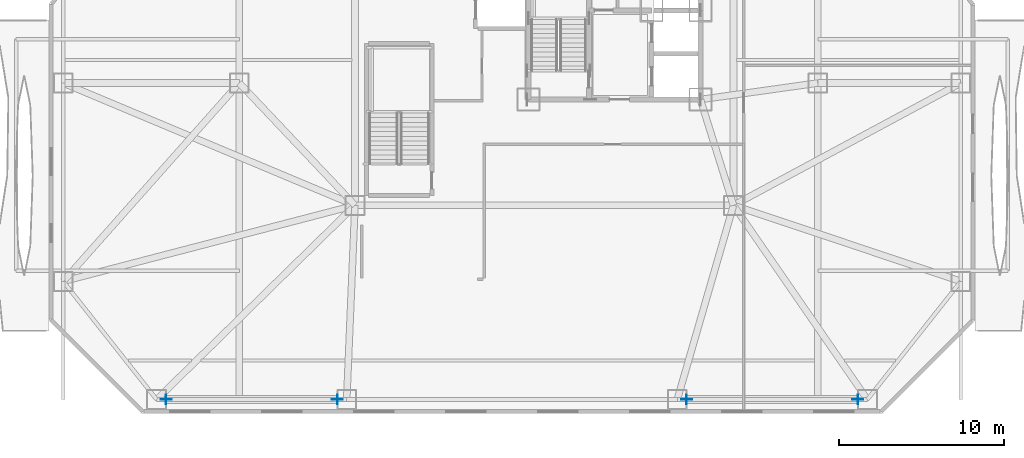
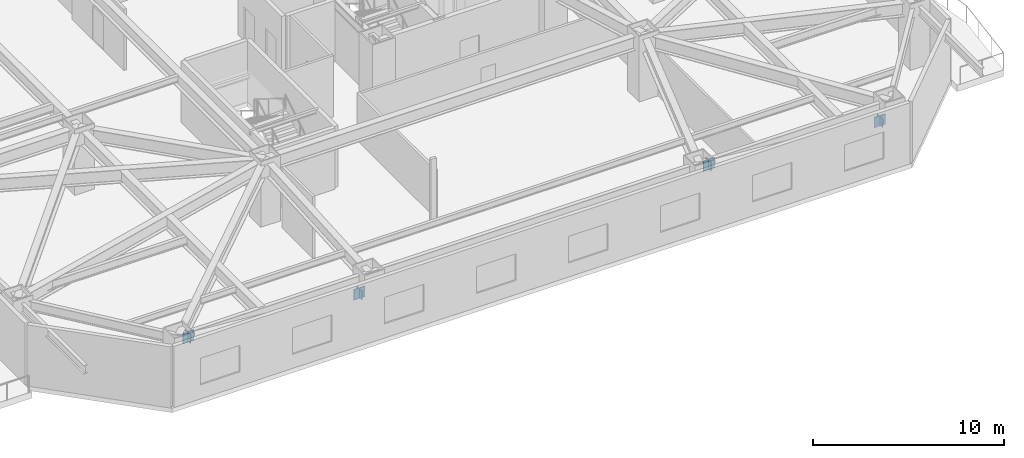
# One storey, part 14 of 25: 8 plates.
"""IFC4 building model written with IfcOpenShell, lengths in metres."""

from ifc_helpers import new_model, si_unit, direction, frame, origin, origin_2d, place, context, subcontext, project, spatial, rectangle, extrude, material, layer, layer_set, type_object, element, save


model = new_model("IFC4")

# Units and contexts
model_context = context("Model", 3, precision=1e-05, world=origin(), true_north=direction((0.0, 1.0)))
body_context = subcontext(model_context, "Body", "Model", "MODEL_VIEW")
ifc_project = project(units=[si_unit("LENGTHUNIT", "METRE"), si_unit("AREAUNIT", "SQUARE_METRE"), si_unit("VOLUMEUNIT", "CUBIC_METRE"), si_unit("PLANEANGLEUNIT", "RADIAN"), si_unit("MASSUNIT", "GRAM", prefix="KILO")], contexts=[model_context])

# Site, building, storey
site_placement = place(None, origin())
site = spatial("IfcSite", under=ifc_project, at=site_placement, CompositionType="ELEMENT")
building_placement = place(site_placement, origin())
building = spatial("IfcBuilding", under=site, at=building_placement, Name="Khamvora Tower", CompositionType="ELEMENT")
storey_placement = place(building_placement, frame((0.0, 0.0, 24.60009765625)))
storey = spatial("IfcBuildingStorey", under=building, at=storey_placement, Name="L05", CompositionType="ELEMENT", Elevation=24.60009765625)

# Plates
ifc_material_1 = material(Name="Steel S355", Category="steel")
ifc_layer_1 = layer(ifc_material_1, 0.02490234375)
ifc_layer_set_1 = layer_set([ifc_layer_1], Name="Steel S355")
plate_type_1 = type_object("IfcPlateType", Name="PL-CAP-25", PredefinedType="SHEET", material=ifc_layer_set_1)
for number, where, z_axis, x_axis, name in (
    (1, (17.43408203125, 0.85009765625, 2.44189453125), (0.0, 0.0, 1.0), (-1.0, 0.0, 0.0), "L05 hollow section steel end cap plate 0444"),
    (2, (7.06591796875, 0.85009765625, 3.28173828125), (0.0, 0.0, 1.0), (-1.0, 0.0, 0.0), "L05 hollow section steel end cap plate 0445"),
    (3, (48.93408203125, 0.85009765625, 2.44189453125), (0.0, 0.0, 1.0), (-1.0, 0.0, 0.0), "L05 hollow section steel end cap plate 0446"),
    (4, (38.56591796875, 0.85009765625, 3.28173828125), (0.0, 0.0, 1.0), (-1.0, 0.0, 0.0), "L05 hollow section steel end cap plate 0447"),
):
    element("IfcPlate", number, at=place(storey_placement, frame(where, z_axis=z_axis, x_axis=x_axis)), inside=storey, type_object=plate_type_1, Name=name, PredefinedType="SHEET", context=body_context, shape_type="SweptSolid", body=[
        extrude(rectangle(XDim=0.02490234375, YDim=0.568115234375, at=origin_2d()), origin(), (0.0, 0.0, 1.0), 0.568115234375),
    ])
ifc_material_2 = material(Name="Steel S460", Category="steel")
ifc_layer_2 = layer(ifc_material_2, 0.0400390625)
ifc_layer_set_2 = layer_set([ifc_layer_2], Name="Steel S460")
plate_type_2 = type_object("IfcPlateType", Name="PLT-GUS-40", PredefinedType="SHEET", material=ifc_layer_set_2)
for number, where, z_axis, x_axis, name in (
    (5, (17.422119140625, 0.85009765625, 2.38671875), (0.0, 0.0, 1.0), (1.0, 0.0, 0.0), "L05 brace connection node gusset plate 0057"),
    (6, (7.077880859375, 0.85009765625, 3.22509765625), (0.0, 0.0, 1.0), (1.0, 0.0, 0.0), "L05 brace connection node gusset plate 0058"),
    (7, (48.922119140625, 0.85009765625, 2.38671875), (0.0, 0.0, 1.0), (1.0, 0.0, 0.0), "L05 brace connection node gusset plate 0059"),
    (8, (38.577880859375, 0.85009765625, 3.22509765625), (0.0, 0.0, 1.0), (1.0, 0.0, 0.0), "L05 brace connection node gusset plate 0060"),
):
    element("IfcPlate", number, at=place(storey_placement, frame(where, z_axis=z_axis, x_axis=x_axis)), inside=storey, type_object=plate_type_2, Name=name, PredefinedType="SHEET", context=body_context, shape_type="SweptSolid", body=[
        extrude(rectangle(XDim=0.679931640625, YDim=0.0400390625, at=origin_2d()), origin(), (0.0, 0.0, 1.0), 0.679931640625),
    ])

save(model, "model.ifc")
